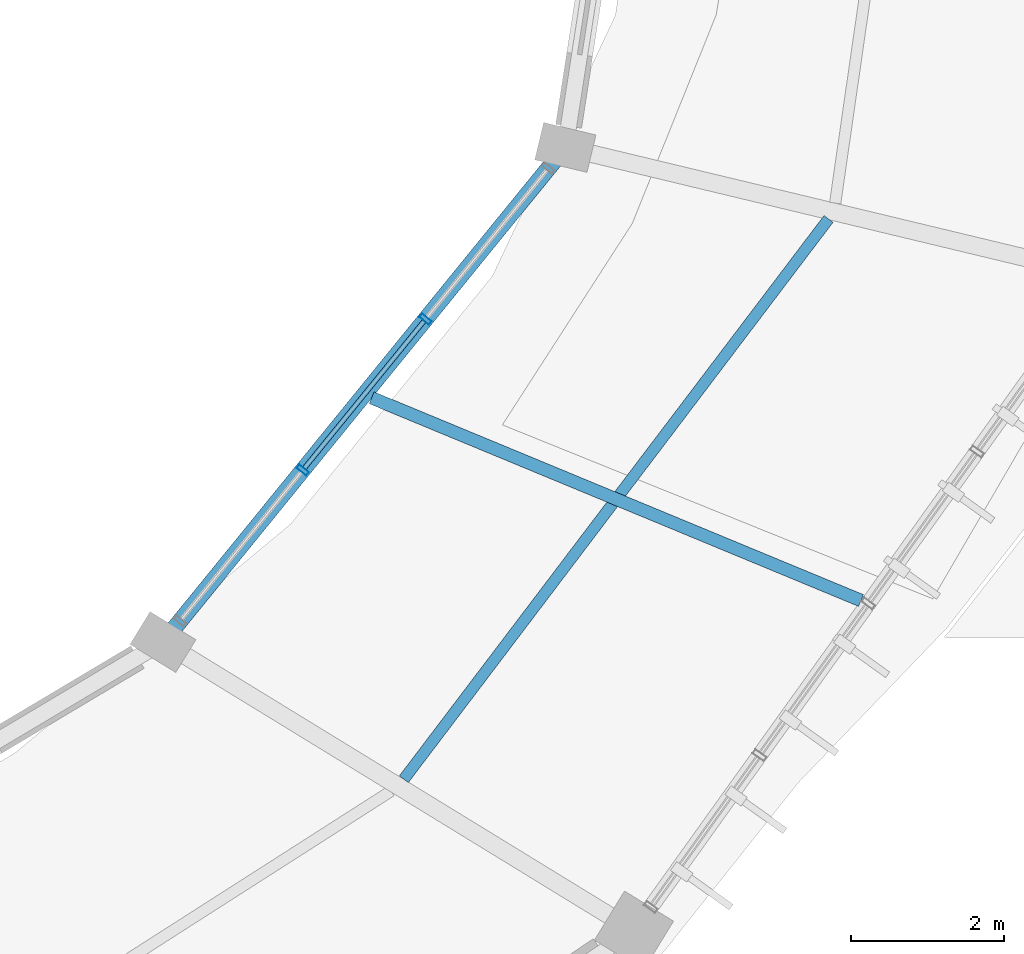
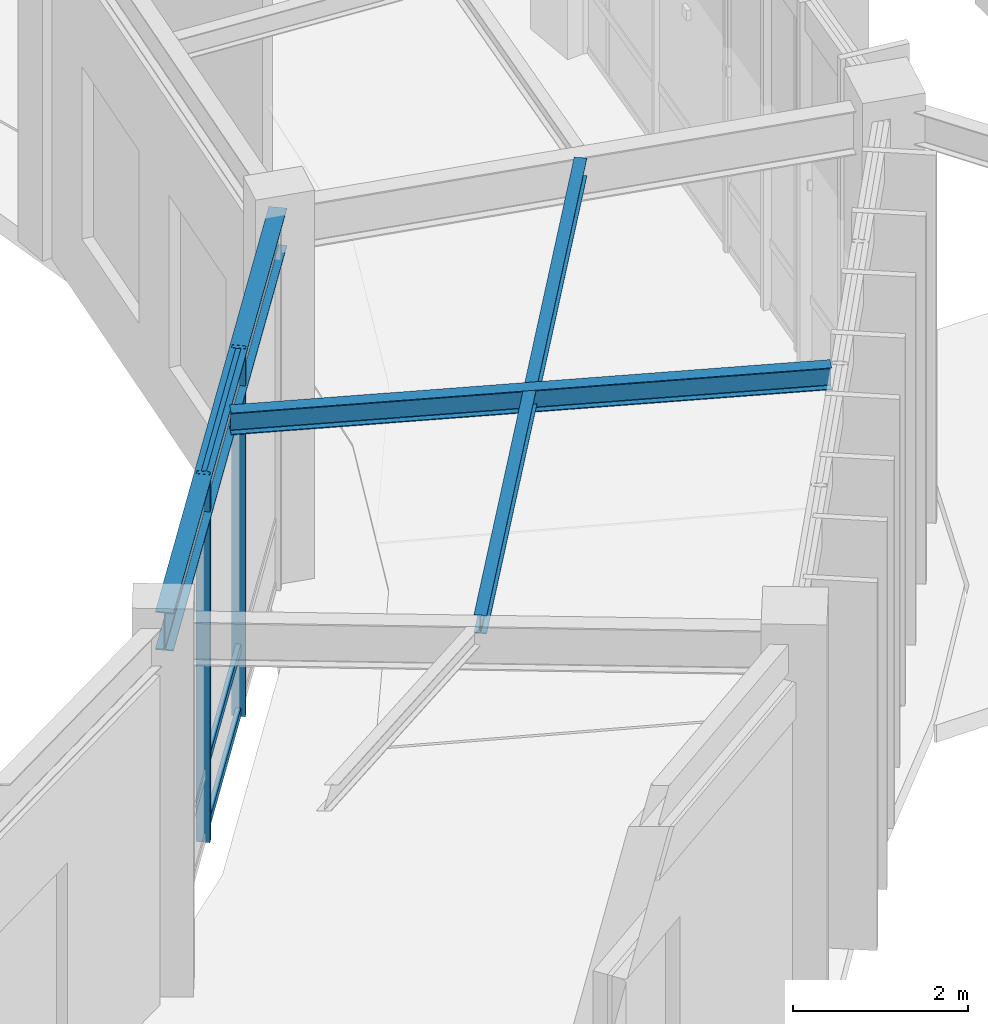
# One storey, part 97 of 157: 5 members, 3 beams, 1 element without a shape of its own.
"""IFC4 building model written with IfcOpenShell, lengths in metres."""

from ifc_helpers import new_model, si_unit, direction, frame, origin, origin_2d, place, context, subcontext, project, spatial, hollow_rectangle, i_section, extrude, material, material_profile, profile_set, type_object, element, aggregate, save


model = new_model("IFC4")

# Units and contexts
model_context = context("Model", 3, precision=1e-05, world=origin(), true_north=direction((0.0, 1.0)))
body_context = subcontext(model_context, "Body", "Model", "MODEL_VIEW")
ifc_project = project(units=[si_unit("LENGTHUNIT", "METRE"), si_unit("AREAUNIT", "SQUARE_METRE"), si_unit("VOLUMEUNIT", "CUBIC_METRE"), si_unit("PLANEANGLEUNIT", "RADIAN"), si_unit("MASSUNIT", "GRAM", prefix="KILO"), si_unit("THERMODYNAMICTEMPERATUREUNIT", "KELVIN"), si_unit("POWERUNIT", "WATT")], contexts=[model_context])

# Site, building, storey
site_placement = place(None, origin())
site = spatial("IfcSite", under=ifc_project, at=site_placement, CompositionType="ELEMENT")
building_placement = place(site_placement, origin())
building = spatial("IfcBuilding", under=site, at=building_placement, Name="Darbajah Civic Hall", CompositionType="ELEMENT")
storey_placement = place(building_placement, origin())
storey = spatial("IfcBuildingStorey", under=building, at=storey_placement, Name="L00", CompositionType="ELEMENT", Elevation=0.0)

# Curtain wall, members
ifc_material_1 = material(Name="Anodised Bronze Aluminium and Low-E Glazing", Category="aluminium")
curtain_wall_type = type_object("IfcCurtainWallType", Name="Unitised Curtain Wall CW-17 7600x5100", PredefinedType="USERDEFINED", material=ifc_material_1)
curtain_wall_placement = place(storey_placement, origin())
curtain_wall = element("IfcCurtainWall", 1, at=curtain_wall_placement, inside=storey, type_object=curtain_wall_type, Name="L00 unitised curtain wall CW-V1I-L00-18", ObjectType="UNITISED CURTAIN WALL", PredefinedType="USERDEFINED")
ifc_material_2 = material(Name="Anodised Bronze Aluminium", Category="aluminium")
ifc_material_profile_1 = material_profile(ifc_material_2, hollow_rectangle(XDim=0.06005859375, YDim=0.159912109375, WallThickness=0.00341796875, at=origin_2d()), Name="ALU MULLION 60x160")
ifc_profile_set_1 = profile_set([ifc_material_profile_1], Name="Anodised Bronze Aluminium")
member_type_1 = type_object("IfcMemberType", Name="ALU MULLION 60x160", PredefinedType="MULLION", material=ifc_profile_set_1)
member_1_placement = place(storey_placement, frame((128.267578125, 80.387939453125, 0.0), z_axis=(0.0, 0.0, 1.0), x_axis=(0.63108205791, 0.775716079622, 0.0)))
member_1 = element("IfcMember", 2, at=member_1_placement, type_object=member_type_1, Name="CW-V1I-L00-18 mullion 2", PredefinedType="MULLION", context=body_context, shape_type="SweptSolid", body=[
    extrude(hollow_rectangle(XDim=0.06005859375, YDim=0.159912109375, WallThickness=0.00341796875, at=origin_2d()), origin(), (0.0, 0.0, 1.0), 5.1201171875),
])
member_2_placement = place(storey_placement, frame((129.86767578125, 82.3544921875, 0.0), z_axis=(0.0, 0.0, 1.0), x_axis=(0.63108205791, 0.775716079622, 0.0)))
member_2 = element("IfcMember", 3, at=member_2_placement, type_object=member_type_1, Name="CW-V1I-L00-18 mullion 3", PredefinedType="MULLION", context=body_context, shape_type="SweptSolid", body=[
    extrude(hollow_rectangle(XDim=0.06005859375, YDim=0.159912109375, WallThickness=0.00341796875, at=origin_2d()), origin(), (0.0, 0.0, 1.0), 5.1201171875),
])
ifc_material_profile_2 = material_profile(ifc_material_2, hollow_rectangle(XDim=0.06005859375, YDim=0.1201171875, WallThickness=0.003173828125, at=origin_2d()), Name="ALU TRANSOM 60x120")
ifc_profile_set_2 = profile_set([ifc_material_profile_2], Name="Anodised Bronze Aluminium")
member_type_2 = type_object("IfcMemberType", Name="ALU TRANSOM 60x120", PredefinedType="USERDEFINED", material=ifc_profile_set_2)
member_3_placement = place(storey_placement, frame((128.289794921875, 80.4150390625, 0.06005859375), z_axis=(0.631110696539, 0.775692779851, 0.0), x_axis=(-0.775692779851, 0.631110696539, 0.0)))
member_3 = element("IfcMember", 4, at=member_3_placement, type_object=member_type_2, Name="CW-V1I-L00-18 transom 2.1", ObjectType="TRANSOM", PredefinedType="USERDEFINED", context=body_context, shape_type="SweptSolid", body=[
    extrude(hollow_rectangle(XDim=0.06005859375, YDim=0.1201171875, WallThickness=0.003173828125, at=origin_2d()), origin(), (0.0, 0.0, 1.0), 2.46533203125),
])
member_4_placement = place(storey_placement, frame((128.289794921875, 80.4150390625, 0.949951171875), z_axis=(0.631110696539, 0.775692779851, 0.0), x_axis=(-0.775692779851, 0.631110696539, 0.0)))
member_4 = element("IfcMember", 5, at=member_4_placement, type_object=member_type_2, Name="CW-V1I-L00-18 transom 2.2", ObjectType="TRANSOM", PredefinedType="USERDEFINED", context=body_context, shape_type="SweptSolid", body=[
    extrude(hollow_rectangle(XDim=0.06005859375, YDim=0.1201171875, WallThickness=0.003173828125, at=origin_2d()), origin(), (0.0, 0.0, 1.0), 2.46533203125),
])
member_5_placement = place(storey_placement, frame((128.289794921875, 80.4150390625, 5.06005859375), z_axis=(0.631110696539, 0.775692779851, 0.0), x_axis=(-0.775692779851, 0.631110696539, 0.0)))
member_5 = element("IfcMember", 6, at=member_5_placement, type_object=member_type_2, Name="CW-V1I-L00-18 transom 2.3", ObjectType="TRANSOM", PredefinedType="USERDEFINED", context=body_context, shape_type="SweptSolid", body=[
    extrude(hollow_rectangle(XDim=0.06005859375, YDim=0.1201171875, WallThickness=0.003173828125, at=origin_2d()), origin(), (0.0, 0.0, 1.0), 2.46533203125),
])
aggregate(curtain_wall, [member_1, member_2, member_3, member_4, member_5])

# Beams
ifc_material_3 = material(Name="Steel S355JR", Category="steel")
ifc_material_profile_3 = material_profile(ifc_material_3, i_section(OverallWidth=0.146484375, OverallDepth=0.256103515625, WebThickness=0.00634765625, FlangeThickness=0.010986328125, FilletRadius=0.007568359375, at=origin_2d()), Name="UB 254x146x37")
ifc_profile_set_3 = profile_set([ifc_material_profile_3], Name="Steel S355JR")
beam_type_1 = type_object("IfcBeamType", Name="UB 254x146x37", PredefinedType="JOIST", material=ifc_profile_set_3)
beam_1_placement = place(storey_placement, frame((129.585205078125, 76.359619140625, 4.991943359375), z_axis=(0.604101851083, 0.796907117246, 0.0), x_axis=(-0.796907117246, 0.604101851083, 0.0)))
element("IfcBeam", 7, at=beam_1_placement, inside=storey, type_object=beam_type_1, Name="L00 beam SJ-254", PredefinedType="JOIST", context=body_context, shape_type="SweptSolid", body=[
    extrude(i_section(OverallWidth=0.146484375, OverallDepth=0.256103515625, WebThickness=0.00634765625, FlangeThickness=0.010986328125, FilletRadius=0.007568359375, at=origin_2d()), origin(), (0.0, 0.0, 1.0), 9.16259765625),
])
ifc_material_profile_4 = material_profile(ifc_material_3, i_section(OverallWidth=0.165771484375, OverallDepth=0.306640625, WebThickness=0.006591796875, FlangeThickness=0.01171875, FilletRadius=0.0087890625, at=origin_2d()), Name="UB 305x165x46")
ifc_profile_set_4 = profile_set([ifc_material_profile_4], Name="Steel S355JR")
beam_type_2 = type_object("IfcBeamType", Name="UB 305x165x46", PredefinedType="JOIST", material=ifc_profile_set_4)
beam_2_placement = place(storey_placement, frame((129.16552734375, 81.330810546875, 4.966796875), z_axis=(0.923878471007, -0.382685995053, 0.0), x_axis=(0.382685995053, 0.923878471007, 0.0)))
element("IfcBeam", 8, at=beam_2_placement, inside=storey, type_object=beam_type_2, Name="L00 beam SJ-305", PredefinedType="JOIST", context=body_context, shape_type="SweptSolid", body=[
    extrude(i_section(OverallWidth=0.165771484375, OverallDepth=0.306640625, WebThickness=0.006591796875, FlangeThickness=0.01171875, FilletRadius=0.0087890625, at=origin_2d()), origin(), (0.0, 0.0, 1.0), 6.9033203125),
])
ifc_material_profile_5 = material_profile(ifc_material_3, i_section(OverallWidth=0.209228515625, OverallDepth=0.533203125, WebThickness=0.010009765625, FlangeThickness=0.015625, FilletRadius=0.0126953125, at=origin_2d()), Name="UB 533x210x92")
ifc_profile_set_5 = profile_set([ifc_material_profile_5], Name="Steel S355JR")
beam_type_3 = type_object("IfcBeamType", Name="UB 533x210x92", PredefinedType="BEAM", material=ifc_profile_set_5)
beam_3_placement = place(storey_placement, frame((126.49609375, 78.21044921875, 4.853515625), z_axis=(0.631114659221, 0.775689555761, 0.0), x_axis=(-0.775689555761, 0.631114659221, 0.0)))
element("IfcBeam", 9, at=beam_3_placement, inside=storey, type_object=beam_type_3, Name="L00 beam SB-533", PredefinedType="BEAM", context=body_context, shape_type="SweptSolid", body=[
    extrude(i_section(OverallWidth=0.209228515625, OverallDepth=0.533203125, WebThickness=0.010009765625, FlangeThickness=0.015625, FilletRadius=0.0126953125, at=origin_2d()), origin(), (0.0, 0.0, 1.0), 8.149658203125),
])

save(model, "model.ifc")
